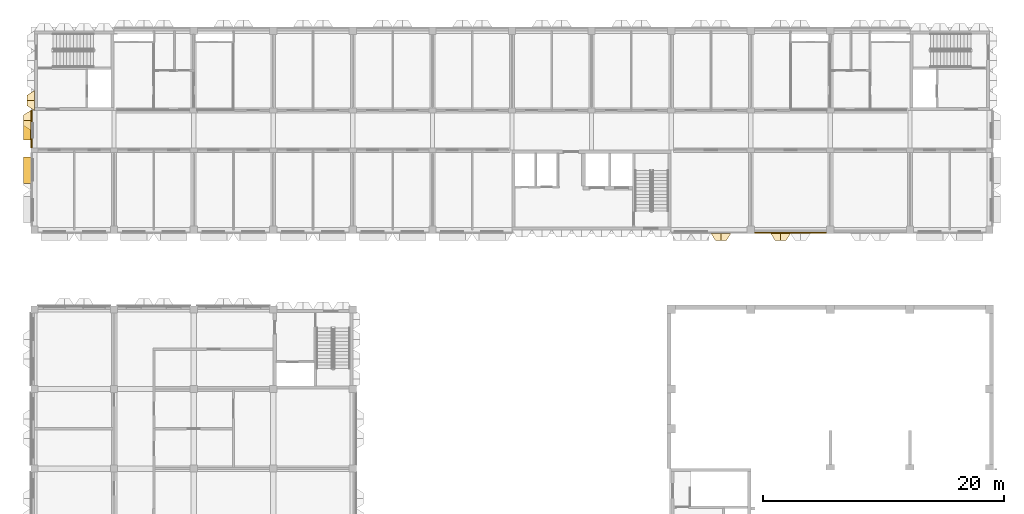
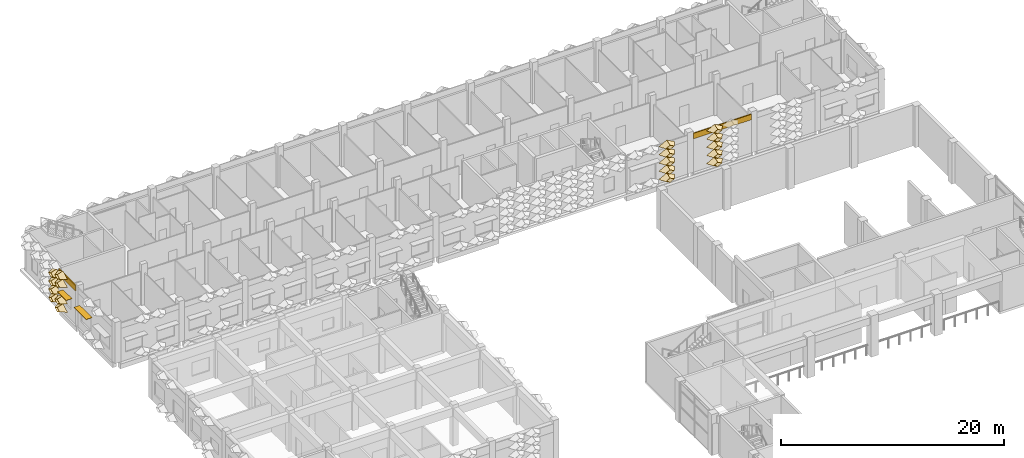
# One storey, part 75 of 87: 20 coverings, 2 shading devices.
"""IFC4 building model written with IfcOpenShell, lengths in metres."""

import ifcopenshell
import ifcopenshell.guid

model = None  # the IFC model being written
_history = None  # IfcOwnerHistory: only IFC2X3 demands one
_inside = {}  # id of a spatial element -> (the spatial element, [elements in it])
_under = {}  # id of a project, library or spatial element -> (it, [spatial elements below it])
_declared = {}  # id of a project -> (the project, [libraries it declares])
_typed = {}  # id of a type object -> (the type object, [elements of that type])
_made_of = {}  # id of a material, layer set ... -> (it, [elements and type objects made of it])


def new_model(schema):
    """Start an empty IFC model of exactly this schema.

    Asked for "IFC4X3", IfcOpenShell would pick the latest addendum, in which some entities
    have other attributes; the version numbers below select the first issue.
    IFC2X3 requires an IfcOwnerHistory on every rooted entity: one is made here for all.
    """
    global model, _history
    if schema == "IFC4X3":
        model = ifcopenshell.file(schema_version=(4, 3, 0, 0))
    else:
        model = ifcopenshell.file(schema=schema)
    _inside.clear()
    _under.clear()
    _declared.clear()
    _typed.clear()
    _made_of.clear()
    _history = None
    if model.schema == "IFC2X3":
        org = make("IfcOrganization", Name="unknown")
        user = make(
            "IfcPersonAndOrganization",
            ThePerson=make("IfcPerson", FamilyName="unknown"),
            TheOrganization=org,
        )
        app = make(
            "IfcApplication",
            ApplicationDeveloper=org,
            Version="unknown",
            ApplicationFullName="unknown",
            ApplicationIdentifier="unknown",
        )
        _history = make(
            "IfcOwnerHistory",
            OwningUser=user,
            OwningApplication=app,
            ChangeAction="ADDED",
            CreationDate=0,
        )
    return model


def make(cls, **values):
    """One entity of the class cls with the attributes given. An attribute that is None is left unset."""
    return model.create_entity(
        cls, **{name: value for name, value in values.items() if value is not None}
    )


def entity(cls, *values):
    """Any entity or typed value of the class cls, its attributes in the order of the schema. None: left unset."""
    e = model.create_entity(cls)
    for i, value in enumerate(values):
        if value is not None:
            e[i] = value
    return e


def rooted(cls, **values):
    """An entity with a GlobalId (a new one), such as an element, a storey or a relation."""
    return make(cls, GlobalId=ifcopenshell.guid.new(), OwnerHistory=_history, **values)


def si_unit(unit_type, name, prefix=None):
    """IfcSIUnit, for example si_unit("LENGTHUNIT", "METRE", prefix="MILLI")."""
    return make("IfcSIUnit", UnitType=unit_type, Prefix=prefix, Name=name)


def assignment(units):
    """IfcUnitAssignment: the units of a project."""
    return None if units is None else make("IfcUnitAssignment", Units=units)


def point(xyz):
    """IfcCartesianPoint."""
    return None if xyz is None else make("IfcCartesianPoint", Coordinates=xyz)


def direction(xyz):
    """IfcDirection."""
    return None if xyz is None else make("IfcDirection", DirectionRatios=xyz)


def frame(location, z_axis=None, x_axis=None):
    """IfcAxis2Placement3D, a coordinate frame: its origin and axes. An axis left out is left unset."""
    return make(
        "IfcAxis2Placement3D",
        Location=point(location),
        Axis=direction(z_axis),
        RefDirection=direction(x_axis),
    )


def frame_2d(location, x_axis=None):
    """IfcAxis2Placement2D, a coordinate frame in the plane: its origin and x axis."""
    return make(
        "IfcAxis2Placement2D", Location=point(location), RefDirection=direction(x_axis)
    )


def origin():
    """The frame at (0, 0, 0) with its axes left unset."""
    return frame((0.0, 0.0, 0.0))


def origin_2d():
    """The frame at (0, 0) in the plane with its x axis left unset."""
    return frame_2d((0.0, 0.0))


def place(relative_to, where):
    """IfcLocalPlacement: puts the frame where relative to a parent placement (None: the world)."""
    return make(
        "IfcLocalPlacement", PlacementRelTo=relative_to, RelativePlacement=where
    )


def context(
    kind, dimensions, precision=None, world=None, true_north=None, identifier=None
):
    """IfcGeometricRepresentationContext, for example the 3D "Model" context."""
    return make(
        "IfcGeometricRepresentationContext",
        ContextIdentifier=identifier,
        ContextType=kind,
        CoordinateSpaceDimension=dimensions,
        Precision=precision,
        WorldCoordinateSystem=world,
        TrueNorth=true_north,
    )


def subcontext(parent, identifier, kind, view, scale=None):
    """IfcGeometricRepresentationSubContext, for example "Body" below "Model"."""
    return make(
        "IfcGeometricRepresentationSubContext",
        ContextIdentifier=identifier,
        ContextType=kind,
        ParentContext=parent,
        TargetScale=scale,
        TargetView=view,
    )


def project(units=None, contexts=None):
    """IfcProject with its units and contexts."""
    return rooted(
        "IfcProject",
        Name="project",
        RepresentationContexts=contexts,
        UnitsInContext=assignment(units),
    )


def spatial(cls, under=None, at=None, **own):
    """A site, building, storey or space (cls), placed at a placement, below another one or the project."""
    s = rooted(cls, ObjectPlacement=at, **own)
    if under is not None:
        _under.setdefault(under.id(), (under, []))[1].append(s)
    return s


def profile(cls, at=None, kind="AREA", **sizes):
    """A parametric profile (cls). Its sizes go by their IFC names, for example OverallWidth=200.0."""
    return make(cls, ProfileType=kind, Position=at, **sizes)


def rectangle(**sizes):
    """IfcRectangleProfileDef."""
    return profile("IfcRectangleProfileDef", **sizes)


def extrude(swept, where, along, depth):
    """IfcExtrudedAreaSolid: the profile swept, set in the frame where, extruded along a direction by depth."""
    return make(
        "IfcExtrudedAreaSolid",
        SweptArea=swept,
        Position=where,
        ExtrudedDirection=direction(along),
        Depth=depth,
    )


def shape(context_of_items, identifier, shape_type, items):
    """IfcShapeRepresentation: the items that make up one representation, for example the "Body"."""
    return make(
        "IfcShapeRepresentation",
        ContextOfItems=context_of_items,
        RepresentationIdentifier=identifier,
        RepresentationType=shape_type,
        Items=items,
    )


def material(Name=None, Category=None):
    """IfcMaterial."""
    return make("IfcMaterial", Name=Name, Category=Category)


def layer(
    of_material, thickness, ventilated=None, Name=None, Category=None, Priority=None
):
    """IfcMaterialLayer: one layer of a wall or slab, of a material (None: an air gap)."""
    return make(
        "IfcMaterialLayer",
        Material=of_material,
        LayerThickness=thickness,
        IsVentilated=ventilated,
        Name=Name,
        Category=Category,
        Priority=Priority,
    )


def layer_set(layers, Name=None):
    """IfcMaterialLayerSet."""
    return make("IfcMaterialLayerSet", MaterialLayers=layers, LayerSetName=Name)


def made_of(thing, what):
    """Note that an element or type object is made of a material, layer set ...; save() writes the relation."""
    if what is not None:
        _made_of.setdefault(what.id(), (what, []))[1].append(thing)
    return thing


def type_object(cls, material=None, **own):
    """A type object (cls), such as IfcWallType, which elements share."""
    return made_of(rooted(cls, **own), material)


def element(
    cls,
    number,
    at=None,
    inside=None,
    cuts=None,
    type_object=None,
    material=None,
    context=None,
    identifier="Body",
    shape_type=None,
    held_by="IfcProductDefinitionShape",
    body=None,
    shapes=None,
    **own,
):
    """One element of the class cls, such as IfcWall. Its Tag is "e" and its number.

    at: its placement. inside: the storey or other place that contains it. cuts: it is an
    opening in that element (IfcRelVoidsElement). A single representation is given by context,
    identifier, shape_type and body (its items); several are given by shapes. held_by: the class
    of the entity that holds the representations. save() writes the other relations.
    """
    e = rooted(cls, Tag="e%d" % number, ObjectPlacement=at, **own)
    if body is not None:
        shapes = [shape(context, identifier, shape_type, body)]
    if shapes is not None:
        e.Representation = make(held_by, Representations=shapes)
    if inside is not None:
        _inside.setdefault(inside.id(), (inside, []))[1].append(e)
    if cuts is not None:
        rooted(
            "IfcRelVoidsElement", RelatingBuildingElement=cuts, RelatedOpeningElement=e
        )
    if type_object is not None:
        _typed.setdefault(type_object.id(), (type_object, []))[1].append(e)
    return made_of(e, material)


def aggregate(whole, parts):
    """IfcRelAggregates: a whole, such as a stair, and the parts it consists of."""
    return rooted("IfcRelAggregates", RelatingObject=whole, RelatedObjects=parts)


def save(model, path):
    """Write the relations noted so far, then the file.

    IfcRelAggregates (storeys below a building ...), IfcRelContainedInSpatialStructure (elements
    in a storey), IfcRelDefinesByType, IfcRelAssociatesMaterial and IfcRelDeclares: one each for
    every whole, place, type object, material and project.
    """
    for whole, parts in _under.values():
        aggregate(whole, parts)
    for where, things in _inside.values():
        rooted(
            "IfcRelContainedInSpatialStructure",
            RelatedElements=things,
            RelatingStructure=where,
        )
    for kind, things in _typed.values():
        rooted("IfcRelDefinesByType", RelatedObjects=things, RelatingType=kind)
    for what, things in _made_of.values():
        rooted("IfcRelAssociatesMaterial", RelatedObjects=things, RelatingMaterial=what)
    for by, libraries in _declared.values():
        rooted("IfcRelDeclares", RelatingContext=by, RelatedDefinitions=libraries)
    model.write(path)


model = new_model("IFC4")

# Units and contexts
model_context = context("Model", 3, precision=1e-05, world=origin(), true_north=direction((0.0, 1.0)))
body_context = subcontext(model_context, "Body", "Model", "MODEL_VIEW")
ifc_project = project(units=[si_unit("LENGTHUNIT", "METRE"), si_unit("AREAUNIT", "SQUARE_METRE"), si_unit("VOLUMEUNIT", "CUBIC_METRE"), si_unit("PLANEANGLEUNIT", "RADIAN"), si_unit("MASSUNIT", "GRAM", prefix="KILO")], contexts=[model_context])

# Site, building, storey
site_placement = place(None, origin())
site = spatial("IfcSite", under=ifc_project, at=site_placement, CompositionType="ELEMENT")
building_placement = place(site_placement, origin())
building = spatial("IfcBuilding", under=site, at=building_placement, Name="Lantern Court Research Institute", CompositionType="ELEMENT")
storey_placement = place(building_placement, frame((0.0, 0.0, 5.39990234375)))
storey = spatial("IfcBuildingStorey", under=building, at=storey_placement, Name="L01", CompositionType="ELEMENT", Elevation=5.39990234375)

# Shading devices
ifc_material_1 = material(Name="Aluminium alloy 6063-T6", Category="aluminium")
ifc_layer_1 = layer(ifc_material_1, 0.050048828125)
ifc_layer_set_1 = layer_set([ifc_layer_1], Name="Aluminium alloy 6063-T6")
shading_device_type_1 = type_object("IfcShadingDeviceType", Name="Brise-soleil blade 1600 x 600 x 50 aluminium", PredefinedType="USERDEFINED", material=ifc_layer_set_1)
shading_device_1_placement = place(storey_placement, frame((-0.60009765625, 90.75, 2.39990234375), z_axis=(0.0, 0.0, 1.0), x_axis=(0.0, 1.0, 0.0)))
element("IfcShadingDevice", 1, at=shading_device_1_placement, inside=storey, type_object=shading_device_type_1, Name="Brise-soleil blade L01 W", ObjectType="LOUVRE", PredefinedType="USERDEFINED", context=body_context, shape_type="SweptSolid", body=[
    extrude(rectangle(XDim=1.60009765625, YDim=0.60009765625, at=origin_2d()), origin(), (0.0, 0.0, 1.0), 0.050048828125),
])
ifc_material_2 = material(Name="Aluminium alloy 6063-T6", Category="aluminium")
ifc_layer_2 = layer(ifc_material_2, 0.050048828125)
ifc_layer_set_2 = layer_set([ifc_layer_2], Name="Aluminium alloy 6063-T6")
shading_device_type_2 = type_object("IfcShadingDeviceType", Name="Brise-soleil blade 2200 x 600 x 50 aluminium", PredefinedType="USERDEFINED", material=ifc_layer_set_2)
shading_device_2_placement = place(storey_placement, frame((-0.60009765625, 87.449951171875, 2.5), z_axis=(0.0, 0.0, 1.0), x_axis=(0.0, 1.0, 0.0)))
element("IfcShadingDevice", 2, at=shading_device_2_placement, inside=storey, type_object=shading_device_type_2, Name="Brise-soleil blade L01 W", ObjectType="LOUVRE", PredefinedType="USERDEFINED", context=body_context, shape_type="SweptSolid", body=[
    extrude(rectangle(XDim=2.199951171875, YDim=0.60009765625, at=origin_2d()), origin(), (0.0, 0.0, 1.0), 0.050048828125),
])

# Coverings
ifc_material_3 = material(Name="Aluminium composite panel with mineral wool insulation", Category="aluminium")
ifc_layer_3 = layer(ifc_material_3, 0.10009765625)
ifc_layer_set_3 = layer_set([ifc_layer_3], Name="Aluminium composite panel with mineral wool insulation")
covering_type_1 = type_object("IfcCoveringType", Name="Edge fascia panel 100 aluminium faced", PredefinedType="CLADDING", material=ifc_layer_set_3)
covering_1_placement = place(storey_placement, frame((65.699951171875, 82.25, 3.650146484375), z_axis=(0.0, 0.0, 1.0), x_axis=(-1.0, 0.0, 0.0)))
element("IfcCovering", 3, at=covering_1_placement, inside=storey, type_object=covering_type_1, Name="Edge fascia V6S L01 08", PredefinedType="CLADDING", context=body_context, shape_type="SweptSolid", body=[
    extrude(rectangle(XDim=6.0, YDim=0.10009765625, at=frame_2d((3.0, 0.0))), origin(), (0.0, 0.0, 1.0), 0.599853515625),
])
covering_2_placement = place(storey_placement, frame((-0.25, 89.300048828125, 3.650146484375), z_axis=(0.0, 0.0, 1.0), x_axis=(0.0, 1.0, 0.0)))
element("IfcCovering", 4, at=covering_2_placement, inside=storey, type_object=covering_type_1, Name="Edge fascia V6W L01 02", PredefinedType="CLADDING", context=body_context, shape_type="SweptSolid", body=[
    extrude(rectangle(XDim=3.099853515625, YDim=0.10009765625, at=frame_2d((1.5498046875, 0.0))), origin(), (0.0, 0.0, 1.0), 0.599853515625),
])
ifc_material_4 = material(Name="Anodised aluminium", Category="aluminium")
ifc_layer_4 = layer(ifc_material_4, 0.01611328125)
ifc_layer_set_4 = layer_set([ifc_layer_4], Name="Anodised aluminium")
covering_type_2 = type_object("IfcCoveringType", Name="Fin cassette 1650 x 900 x 600 aluminium", PredefinedType="CLADDING", material=ifc_layer_set_4)
covering_3_placement = place(storey_placement, frame((56.925048828125, 82.199951171875, 0.4501953125), z_axis=(0.0, -1.0, 0.0), x_axis=(1.0, 0.0, 0.0)))
cartesian_point_1 = entity("IfcCartesianPoint", [0.824951171875, 0.0])
cartesian_point_2 = entity("IfcCartesianPoint", [0.79150390625, 0.0])
cartesian_point_3 = entity("IfcCartesianPoint", [0.44189453125, 0.0])
cartesian_point_4 = entity("IfcCartesianPoint", [0.43359375, 0.0])
element("IfcCovering", 5, at=covering_3_placement, inside=storey, type_object=covering_type_2, Name="Fin cassette V6S-L01 1.35", PredefinedType="CLADDING", context=body_context, shape_type="SweptSolid", body=[
    entity("IfcExtrudedAreaSolidTapered", entity("IfcArbitraryProfileDefWithVoids", "AREA", None, entity("IfcPolyline", [cartesian_point_1, entity("IfcCartesianPoint", [0.0, 0.449951171875]), entity("IfcCartesianPoint", [-0.824951171875, 0.0]), entity("IfcCartesianPoint", [0.0, -0.449951171875]), cartesian_point_1]), [entity("IfcPolyline", [cartesian_point_2, entity("IfcCartesianPoint", [0.0, 0.431884765625]), entity("IfcCartesianPoint", [-0.79150390625, 0.0]), entity("IfcCartesianPoint", [0.0, -0.431884765625]), cartesian_point_2])]), entity("IfcAxis2Placement3D", entity("IfcCartesianPoint", [0.0, 0.0, 0.0])), entity("IfcDirection", [0.0, 0.0, 1.0]), 0.60009765625, entity("IfcArbitraryProfileDefWithVoids", "AREA", None, entity("IfcPolyline", [cartesian_point_3, entity("IfcCartesianPoint", [0.0, 0.240966796875]), entity("IfcCartesianPoint", [-0.44189453125, 0.0]), entity("IfcCartesianPoint", [0.0, -0.240966796875]), cartesian_point_3]), [entity("IfcPolyline", [cartesian_point_4, entity("IfcCartesianPoint", [0.0, 0.236572265625]), entity("IfcCartesianPoint", [-0.43359375, 0.0]), entity("IfcCartesianPoint", [0.0, -0.236572265625]), cartesian_point_4])])),
])
covering_4_placement = place(storey_placement, frame((61.875, 82.199951171875, 0.4501953125), z_axis=(0.0, -1.0, 0.0), x_axis=(1.0, 0.0, 0.0)))
cartesian_point_5 = entity("IfcCartesianPoint", [0.824951171875, 0.0])
cartesian_point_6 = entity("IfcCartesianPoint", [0.79150390625, 0.0])
cartesian_point_7 = entity("IfcCartesianPoint", [0.44189453125, 0.0])
cartesian_point_8 = entity("IfcCartesianPoint", [0.43359375, 0.0])
element("IfcCovering", 6, at=covering_4_placement, inside=storey, type_object=covering_type_2, Name="Fin cassette V6S-L01 1.38", PredefinedType="CLADDING", context=body_context, shape_type="SweptSolid", body=[
    entity("IfcExtrudedAreaSolidTapered", entity("IfcArbitraryProfileDefWithVoids", "AREA", None, entity("IfcPolyline", [cartesian_point_5, entity("IfcCartesianPoint", [0.0, 0.449951171875]), entity("IfcCartesianPoint", [-0.824951171875, 0.0]), entity("IfcCartesianPoint", [0.0, -0.449951171875]), cartesian_point_5]), [entity("IfcPolyline", [cartesian_point_6, entity("IfcCartesianPoint", [0.0, 0.431884765625]), entity("IfcCartesianPoint", [-0.79150390625, 0.0]), entity("IfcCartesianPoint", [0.0, -0.431884765625]), cartesian_point_6])]), entity("IfcAxis2Placement3D", entity("IfcCartesianPoint", [0.0, 0.0, 0.0])), entity("IfcDirection", [0.0, 0.0, 1.0]), 0.60009765625, entity("IfcArbitraryProfileDefWithVoids", "AREA", None, entity("IfcPolyline", [cartesian_point_7, entity("IfcCartesianPoint", [0.0, 0.240966796875]), entity("IfcCartesianPoint", [-0.44189453125, 0.0]), entity("IfcCartesianPoint", [0.0, -0.240966796875]), cartesian_point_7]), [entity("IfcPolyline", [cartesian_point_8, entity("IfcCartesianPoint", [0.0, 0.236572265625]), entity("IfcCartesianPoint", [-0.43359375, 0.0]), entity("IfcCartesianPoint", [0.0, -0.236572265625]), cartesian_point_8])])),
])
covering_5_placement = place(storey_placement, frame((56.925048828125, 82.199951171875, 1.35009765625), z_axis=(0.0, -1.0, 0.0), x_axis=(1.0, 0.0, 0.0)))
cartesian_point_9 = entity("IfcCartesianPoint", [0.824951171875, 0.0])
cartesian_point_10 = entity("IfcCartesianPoint", [0.79150390625, 0.0])
cartesian_point_11 = entity("IfcCartesianPoint", [0.44189453125, 0.0])
cartesian_point_12 = entity("IfcCartesianPoint", [0.43359375, 0.0])
element("IfcCovering", 7, at=covering_5_placement, inside=storey, type_object=covering_type_2, Name="Fin cassette V6S-L01 2.35", PredefinedType="CLADDING", context=body_context, shape_type="SweptSolid", body=[
    entity("IfcExtrudedAreaSolidTapered", entity("IfcArbitraryProfileDefWithVoids", "AREA", None, entity("IfcPolyline", [cartesian_point_9, entity("IfcCartesianPoint", [0.0, 0.449951171875]), entity("IfcCartesianPoint", [-0.824951171875, 0.0]), entity("IfcCartesianPoint", [0.0, -0.449951171875]), cartesian_point_9]), [entity("IfcPolyline", [cartesian_point_10, entity("IfcCartesianPoint", [0.0, 0.431884765625]), entity("IfcCartesianPoint", [-0.79150390625, 0.0]), entity("IfcCartesianPoint", [0.0, -0.431884765625]), cartesian_point_10])]), entity("IfcAxis2Placement3D", entity("IfcCartesianPoint", [0.0, 0.0, 0.0])), entity("IfcDirection", [0.0, 0.0, 1.0]), 0.60009765625, entity("IfcArbitraryProfileDefWithVoids", "AREA", None, entity("IfcPolyline", [cartesian_point_11, entity("IfcCartesianPoint", [0.0, 0.240966796875]), entity("IfcCartesianPoint", [-0.44189453125, 0.0]), entity("IfcCartesianPoint", [0.0, -0.240966796875]), cartesian_point_11]), [entity("IfcPolyline", [cartesian_point_12, entity("IfcCartesianPoint", [0.0, 0.236572265625]), entity("IfcCartesianPoint", [-0.43359375, 0.0]), entity("IfcCartesianPoint", [0.0, -0.236572265625]), cartesian_point_12])])),
])
covering_6_placement = place(storey_placement, frame((61.875, 82.199951171875, 1.35009765625), z_axis=(0.0, -1.0, 0.0), x_axis=(1.0, 0.0, 0.0)))
cartesian_point_13 = entity("IfcCartesianPoint", [0.824951171875, 0.0])
cartesian_point_14 = entity("IfcCartesianPoint", [0.79150390625, 0.0])
cartesian_point_15 = entity("IfcCartesianPoint", [0.44189453125, 0.0])
cartesian_point_16 = entity("IfcCartesianPoint", [0.43359375, 0.0])
element("IfcCovering", 8, at=covering_6_placement, inside=storey, type_object=covering_type_2, Name="Fin cassette V6S-L01 2.38", PredefinedType="CLADDING", context=body_context, shape_type="SweptSolid", body=[
    entity("IfcExtrudedAreaSolidTapered", entity("IfcArbitraryProfileDefWithVoids", "AREA", None, entity("IfcPolyline", [cartesian_point_13, entity("IfcCartesianPoint", [0.0, 0.449951171875]), entity("IfcCartesianPoint", [-0.824951171875, 0.0]), entity("IfcCartesianPoint", [0.0, -0.449951171875]), cartesian_point_13]), [entity("IfcPolyline", [cartesian_point_14, entity("IfcCartesianPoint", [0.0, 0.431884765625]), entity("IfcCartesianPoint", [-0.79150390625, 0.0]), entity("IfcCartesianPoint", [0.0, -0.431884765625]), cartesian_point_14])]), entity("IfcAxis2Placement3D", entity("IfcCartesianPoint", [0.0, 0.0, 0.0])), entity("IfcDirection", [0.0, 0.0, 1.0]), 0.60009765625, entity("IfcArbitraryProfileDefWithVoids", "AREA", None, entity("IfcPolyline", [cartesian_point_15, entity("IfcCartesianPoint", [0.0, 0.240966796875]), entity("IfcCartesianPoint", [-0.44189453125, 0.0]), entity("IfcCartesianPoint", [0.0, -0.240966796875]), cartesian_point_15]), [entity("IfcPolyline", [cartesian_point_16, entity("IfcCartesianPoint", [0.0, 0.236572265625]), entity("IfcCartesianPoint", [-0.43359375, 0.0]), entity("IfcCartesianPoint", [0.0, -0.236572265625]), cartesian_point_16])])),
])
covering_7_placement = place(storey_placement, frame((56.925048828125, 82.199951171875, 2.25), z_axis=(0.0, -1.0, 0.0), x_axis=(1.0, 0.0, 0.0)))
cartesian_point_17 = entity("IfcCartesianPoint", [0.824951171875, 0.0])
cartesian_point_18 = entity("IfcCartesianPoint", [0.79150390625, 0.0])
cartesian_point_19 = entity("IfcCartesianPoint", [0.44189453125, 0.0])
cartesian_point_20 = entity("IfcCartesianPoint", [0.43359375, 0.0])
element("IfcCovering", 9, at=covering_7_placement, inside=storey, type_object=covering_type_2, Name="Fin cassette V6S-L01 3.35", PredefinedType="CLADDING", context=body_context, shape_type="SweptSolid", body=[
    entity("IfcExtrudedAreaSolidTapered", entity("IfcArbitraryProfileDefWithVoids", "AREA", None, entity("IfcPolyline", [cartesian_point_17, entity("IfcCartesianPoint", [0.0, 0.449951171875]), entity("IfcCartesianPoint", [-0.824951171875, 0.0]), entity("IfcCartesianPoint", [0.0, -0.449951171875]), cartesian_point_17]), [entity("IfcPolyline", [cartesian_point_18, entity("IfcCartesianPoint", [0.0, 0.431884765625]), entity("IfcCartesianPoint", [-0.79150390625, 0.0]), entity("IfcCartesianPoint", [0.0, -0.431884765625]), cartesian_point_18])]), entity("IfcAxis2Placement3D", entity("IfcCartesianPoint", [0.0, 0.0, 0.0])), entity("IfcDirection", [0.0, 0.0, 1.0]), 0.60009765625, entity("IfcArbitraryProfileDefWithVoids", "AREA", None, entity("IfcPolyline", [cartesian_point_19, entity("IfcCartesianPoint", [0.0, 0.240966796875]), entity("IfcCartesianPoint", [-0.44189453125, 0.0]), entity("IfcCartesianPoint", [0.0, -0.240966796875]), cartesian_point_19]), [entity("IfcPolyline", [cartesian_point_20, entity("IfcCartesianPoint", [0.0, 0.236572265625]), entity("IfcCartesianPoint", [-0.43359375, 0.0]), entity("IfcCartesianPoint", [0.0, -0.236572265625]), cartesian_point_20])])),
])
covering_8_placement = place(storey_placement, frame((61.875, 82.199951171875, 2.25), z_axis=(0.0, -1.0, 0.0), x_axis=(1.0, 0.0, 0.0)))
cartesian_point_21 = entity("IfcCartesianPoint", [0.824951171875, 0.0])
cartesian_point_22 = entity("IfcCartesianPoint", [0.79150390625, 0.0])
cartesian_point_23 = entity("IfcCartesianPoint", [0.44189453125, 0.0])
cartesian_point_24 = entity("IfcCartesianPoint", [0.43359375, 0.0])
element("IfcCovering", 10, at=covering_8_placement, inside=storey, type_object=covering_type_2, Name="Fin cassette V6S-L01 3.38", PredefinedType="CLADDING", context=body_context, shape_type="SweptSolid", body=[
    entity("IfcExtrudedAreaSolidTapered", entity("IfcArbitraryProfileDefWithVoids", "AREA", None, entity("IfcPolyline", [cartesian_point_21, entity("IfcCartesianPoint", [0.0, 0.449951171875]), entity("IfcCartesianPoint", [-0.824951171875, 0.0]), entity("IfcCartesianPoint", [0.0, -0.449951171875]), cartesian_point_21]), [entity("IfcPolyline", [cartesian_point_22, entity("IfcCartesianPoint", [0.0, 0.431884765625]), entity("IfcCartesianPoint", [-0.79150390625, 0.0]), entity("IfcCartesianPoint", [0.0, -0.431884765625]), cartesian_point_22])]), entity("IfcAxis2Placement3D", entity("IfcCartesianPoint", [0.0, 0.0, 0.0])), entity("IfcDirection", [0.0, 0.0, 1.0]), 0.60009765625, entity("IfcArbitraryProfileDefWithVoids", "AREA", None, entity("IfcPolyline", [cartesian_point_23, entity("IfcCartesianPoint", [0.0, 0.240966796875]), entity("IfcCartesianPoint", [-0.44189453125, 0.0]), entity("IfcCartesianPoint", [0.0, -0.240966796875]), cartesian_point_23]), [entity("IfcPolyline", [cartesian_point_24, entity("IfcCartesianPoint", [0.0, 0.236572265625]), entity("IfcCartesianPoint", [-0.43359375, 0.0]), entity("IfcCartesianPoint", [0.0, -0.236572265625]), cartesian_point_24])])),
])
covering_9_placement = place(storey_placement, frame((56.925048828125, 82.199951171875, 3.150146484375), z_axis=(0.0, -1.0, 0.0), x_axis=(1.0, 0.0, 0.0)))
cartesian_point_25 = entity("IfcCartesianPoint", [0.824951171875, 0.0])
cartesian_point_26 = entity("IfcCartesianPoint", [0.79150390625, 0.0])
cartesian_point_27 = entity("IfcCartesianPoint", [0.44189453125, 0.0])
cartesian_point_28 = entity("IfcCartesianPoint", [0.43359375, 0.0])
element("IfcCovering", 11, at=covering_9_placement, inside=storey, type_object=covering_type_2, Name="Fin cassette V6S-L01 4.35", PredefinedType="CLADDING", context=body_context, shape_type="SweptSolid", body=[
    entity("IfcExtrudedAreaSolidTapered", entity("IfcArbitraryProfileDefWithVoids", "AREA", None, entity("IfcPolyline", [cartesian_point_25, entity("IfcCartesianPoint", [0.0, 0.449951171875]), entity("IfcCartesianPoint", [-0.824951171875, 0.0]), entity("IfcCartesianPoint", [0.0, -0.449951171875]), cartesian_point_25]), [entity("IfcPolyline", [cartesian_point_26, entity("IfcCartesianPoint", [0.0, 0.431884765625]), entity("IfcCartesianPoint", [-0.79150390625, 0.0]), entity("IfcCartesianPoint", [0.0, -0.431884765625]), cartesian_point_26])]), entity("IfcAxis2Placement3D", entity("IfcCartesianPoint", [0.0, 0.0, 0.0])), entity("IfcDirection", [0.0, 0.0, 1.0]), 0.60009765625, entity("IfcArbitraryProfileDefWithVoids", "AREA", None, entity("IfcPolyline", [cartesian_point_27, entity("IfcCartesianPoint", [0.0, 0.240966796875]), entity("IfcCartesianPoint", [-0.44189453125, 0.0]), entity("IfcCartesianPoint", [0.0, -0.240966796875]), cartesian_point_27]), [entity("IfcPolyline", [cartesian_point_28, entity("IfcCartesianPoint", [0.0, 0.236572265625]), entity("IfcCartesianPoint", [-0.43359375, 0.0]), entity("IfcCartesianPoint", [0.0, -0.236572265625]), cartesian_point_28])])),
])
covering_10_placement = place(storey_placement, frame((61.875, 82.199951171875, 3.150146484375), z_axis=(0.0, -1.0, 0.0), x_axis=(1.0, 0.0, 0.0)))
cartesian_point_29 = entity("IfcCartesianPoint", [0.824951171875, 0.0])
cartesian_point_30 = entity("IfcCartesianPoint", [0.79150390625, 0.0])
cartesian_point_31 = entity("IfcCartesianPoint", [0.44189453125, 0.0])
cartesian_point_32 = entity("IfcCartesianPoint", [0.43359375, 0.0])
element("IfcCovering", 12, at=covering_10_placement, inside=storey, type_object=covering_type_2, Name="Fin cassette V6S-L01 4.38", PredefinedType="CLADDING", context=body_context, shape_type="SweptSolid", body=[
    entity("IfcExtrudedAreaSolidTapered", entity("IfcArbitraryProfileDefWithVoids", "AREA", None, entity("IfcPolyline", [cartesian_point_29, entity("IfcCartesianPoint", [0.0, 0.449951171875]), entity("IfcCartesianPoint", [-0.824951171875, 0.0]), entity("IfcCartesianPoint", [0.0, -0.449951171875]), cartesian_point_29]), [entity("IfcPolyline", [cartesian_point_30, entity("IfcCartesianPoint", [0.0, 0.431884765625]), entity("IfcCartesianPoint", [-0.79150390625, 0.0]), entity("IfcCartesianPoint", [0.0, -0.431884765625]), cartesian_point_30])]), entity("IfcAxis2Placement3D", entity("IfcCartesianPoint", [0.0, 0.0, 0.0])), entity("IfcDirection", [0.0, 0.0, 1.0]), 0.60009765625, entity("IfcArbitraryProfileDefWithVoids", "AREA", None, entity("IfcPolyline", [cartesian_point_31, entity("IfcCartesianPoint", [0.0, 0.240966796875]), entity("IfcCartesianPoint", [-0.44189453125, 0.0]), entity("IfcCartesianPoint", [0.0, -0.240966796875]), cartesian_point_31]), [entity("IfcPolyline", [cartesian_point_32, entity("IfcCartesianPoint", [0.0, 0.236572265625]), entity("IfcCartesianPoint", [-0.43359375, 0.0]), entity("IfcCartesianPoint", [0.0, -0.236572265625]), cartesian_point_32])])),
])
covering_11_placement = place(storey_placement, frame((56.925048828125, 82.199951171875, 4.050048828125), z_axis=(0.0, -1.0, 0.0), x_axis=(1.0, 0.0, 0.0)))
cartesian_point_33 = entity("IfcCartesianPoint", [0.824951171875, 0.0])
cartesian_point_34 = entity("IfcCartesianPoint", [0.79150390625, 0.0])
cartesian_point_35 = entity("IfcCartesianPoint", [0.44189453125, 0.0])
cartesian_point_36 = entity("IfcCartesianPoint", [0.43359375, 0.0])
element("IfcCovering", 13, at=covering_11_placement, inside=storey, type_object=covering_type_2, Name="Fin cassette V6S-L01 5.35", PredefinedType="CLADDING", context=body_context, shape_type="SweptSolid", body=[
    entity("IfcExtrudedAreaSolidTapered", entity("IfcArbitraryProfileDefWithVoids", "AREA", None, entity("IfcPolyline", [cartesian_point_33, entity("IfcCartesianPoint", [0.0, 0.449951171875]), entity("IfcCartesianPoint", [-0.824951171875, 0.0]), entity("IfcCartesianPoint", [0.0, -0.449951171875]), cartesian_point_33]), [entity("IfcPolyline", [cartesian_point_34, entity("IfcCartesianPoint", [0.0, 0.431884765625]), entity("IfcCartesianPoint", [-0.79150390625, 0.0]), entity("IfcCartesianPoint", [0.0, -0.431884765625]), cartesian_point_34])]), entity("IfcAxis2Placement3D", entity("IfcCartesianPoint", [0.0, 0.0, 0.0])), entity("IfcDirection", [0.0, 0.0, 1.0]), 0.60009765625, entity("IfcArbitraryProfileDefWithVoids", "AREA", None, entity("IfcPolyline", [cartesian_point_35, entity("IfcCartesianPoint", [0.0, 0.240966796875]), entity("IfcCartesianPoint", [-0.44189453125, 0.0]), entity("IfcCartesianPoint", [0.0, -0.240966796875]), cartesian_point_35]), [entity("IfcPolyline", [cartesian_point_36, entity("IfcCartesianPoint", [0.0, 0.236572265625]), entity("IfcCartesianPoint", [-0.43359375, 0.0]), entity("IfcCartesianPoint", [0.0, -0.236572265625]), cartesian_point_36])])),
])
covering_12_placement = place(storey_placement, frame((61.875, 82.199951171875, 4.050048828125), z_axis=(0.0, -1.0, 0.0), x_axis=(1.0, 0.0, 0.0)))
cartesian_point_37 = entity("IfcCartesianPoint", [0.824951171875, 0.0])
cartesian_point_38 = entity("IfcCartesianPoint", [0.79150390625, 0.0])
cartesian_point_39 = entity("IfcCartesianPoint", [0.44189453125, 0.0])
cartesian_point_40 = entity("IfcCartesianPoint", [0.43359375, 0.0])
element("IfcCovering", 14, at=covering_12_placement, inside=storey, type_object=covering_type_2, Name="Fin cassette V6S-L01 5.38", PredefinedType="CLADDING", context=body_context, shape_type="SweptSolid", body=[
    entity("IfcExtrudedAreaSolidTapered", entity("IfcArbitraryProfileDefWithVoids", "AREA", None, entity("IfcPolyline", [cartesian_point_37, entity("IfcCartesianPoint", [0.0, 0.449951171875]), entity("IfcCartesianPoint", [-0.824951171875, 0.0]), entity("IfcCartesianPoint", [0.0, -0.449951171875]), cartesian_point_37]), [entity("IfcPolyline", [cartesian_point_38, entity("IfcCartesianPoint", [0.0, 0.431884765625]), entity("IfcCartesianPoint", [-0.79150390625, 0.0]), entity("IfcCartesianPoint", [0.0, -0.431884765625]), cartesian_point_38])]), entity("IfcAxis2Placement3D", entity("IfcCartesianPoint", [0.0, 0.0, 0.0])), entity("IfcDirection", [0.0, 0.0, 1.0]), 0.60009765625, entity("IfcArbitraryProfileDefWithVoids", "AREA", None, entity("IfcPolyline", [cartesian_point_39, entity("IfcCartesianPoint", [0.0, 0.240966796875]), entity("IfcCartesianPoint", [-0.44189453125, 0.0]), entity("IfcCartesianPoint", [0.0, -0.240966796875]), cartesian_point_39]), [entity("IfcPolyline", [cartesian_point_40, entity("IfcCartesianPoint", [0.0, 0.236572265625]), entity("IfcCartesianPoint", [-0.43359375, 0.0]), entity("IfcCartesianPoint", [0.0, -0.236572265625]), cartesian_point_40])])),
])
covering_13_placement = place(storey_placement, frame((0.0, 93.22509765625, 0.4501953125), z_axis=(-1.0, 0.0, 0.0), x_axis=(0.0, -1.0, 0.0)))
cartesian_point_41 = entity("IfcCartesianPoint", [0.824951171875, 0.0])
cartesian_point_42 = entity("IfcCartesianPoint", [0.79150390625, 0.0])
cartesian_point_43 = entity("IfcCartesianPoint", [0.44189453125, 0.0])
cartesian_point_44 = entity("IfcCartesianPoint", [0.43359375, 0.0])
element("IfcCovering", 15, at=covering_13_placement, inside=storey, type_object=covering_type_2, Name="Fin cassette V6W-L01 1.57", PredefinedType="CLADDING", context=body_context, shape_type="SweptSolid", body=[
    entity("IfcExtrudedAreaSolidTapered", entity("IfcArbitraryProfileDefWithVoids", "AREA", None, entity("IfcPolyline", [cartesian_point_41, entity("IfcCartesianPoint", [0.0, 0.449951171875]), entity("IfcCartesianPoint", [-0.824951171875, 0.0]), entity("IfcCartesianPoint", [0.0, -0.449951171875]), cartesian_point_41]), [entity("IfcPolyline", [cartesian_point_42, entity("IfcCartesianPoint", [0.0, 0.431884765625]), entity("IfcCartesianPoint", [-0.79150390625, 0.0]), entity("IfcCartesianPoint", [0.0, -0.431884765625]), cartesian_point_42])]), entity("IfcAxis2Placement3D", entity("IfcCartesianPoint", [0.0, 0.0, 0.0])), entity("IfcDirection", [0.0, 0.0, 1.0]), 0.60009765625, entity("IfcArbitraryProfileDefWithVoids", "AREA", None, entity("IfcPolyline", [cartesian_point_43, entity("IfcCartesianPoint", [0.0, 0.240966796875]), entity("IfcCartesianPoint", [-0.44189453125, 0.0]), entity("IfcCartesianPoint", [0.0, -0.240966796875]), cartesian_point_43]), [entity("IfcPolyline", [cartesian_point_44, entity("IfcCartesianPoint", [0.0, 0.236572265625]), entity("IfcCartesianPoint", [-0.43359375, 0.0]), entity("IfcCartesianPoint", [0.0, -0.236572265625]), cartesian_point_44])])),
])
covering_14_placement = place(storey_placement, frame((0.0, 93.22509765625, 1.35009765625), z_axis=(-1.0, 0.0, 0.0), x_axis=(0.0, -1.0, 0.0)))
cartesian_point_45 = entity("IfcCartesianPoint", [0.824951171875, 0.0])
cartesian_point_46 = entity("IfcCartesianPoint", [0.79150390625, 0.0])
cartesian_point_47 = entity("IfcCartesianPoint", [0.44189453125, 0.0])
cartesian_point_48 = entity("IfcCartesianPoint", [0.43359375, 0.0])
element("IfcCovering", 16, at=covering_14_placement, inside=storey, type_object=covering_type_2, Name="Fin cassette V6W-L01 2.57", PredefinedType="CLADDING", context=body_context, shape_type="SweptSolid", body=[
    entity("IfcExtrudedAreaSolidTapered", entity("IfcArbitraryProfileDefWithVoids", "AREA", None, entity("IfcPolyline", [cartesian_point_45, entity("IfcCartesianPoint", [0.0, 0.449951171875]), entity("IfcCartesianPoint", [-0.824951171875, 0.0]), entity("IfcCartesianPoint", [0.0, -0.449951171875]), cartesian_point_45]), [entity("IfcPolyline", [cartesian_point_46, entity("IfcCartesianPoint", [0.0, 0.431884765625]), entity("IfcCartesianPoint", [-0.79150390625, 0.0]), entity("IfcCartesianPoint", [0.0, -0.431884765625]), cartesian_point_46])]), entity("IfcAxis2Placement3D", entity("IfcCartesianPoint", [0.0, 0.0, 0.0])), entity("IfcDirection", [0.0, 0.0, 1.0]), 0.60009765625, entity("IfcArbitraryProfileDefWithVoids", "AREA", None, entity("IfcPolyline", [cartesian_point_47, entity("IfcCartesianPoint", [0.0, 0.240966796875]), entity("IfcCartesianPoint", [-0.44189453125, 0.0]), entity("IfcCartesianPoint", [0.0, -0.240966796875]), cartesian_point_47]), [entity("IfcPolyline", [cartesian_point_48, entity("IfcCartesianPoint", [0.0, 0.236572265625]), entity("IfcCartesianPoint", [-0.43359375, 0.0]), entity("IfcCartesianPoint", [0.0, -0.236572265625]), cartesian_point_48])])),
])
covering_15_placement = place(storey_placement, frame((0.0, 93.22509765625, 2.25), z_axis=(-1.0, 0.0, 0.0), x_axis=(0.0, -1.0, 0.0)))
cartesian_point_49 = entity("IfcCartesianPoint", [0.824951171875, 0.0])
cartesian_point_50 = entity("IfcCartesianPoint", [0.79150390625, 0.0])
cartesian_point_51 = entity("IfcCartesianPoint", [0.44189453125, 0.0])
cartesian_point_52 = entity("IfcCartesianPoint", [0.43359375, 0.0])
element("IfcCovering", 17, at=covering_15_placement, inside=storey, type_object=covering_type_2, Name="Fin cassette V6W-L01 3.57", PredefinedType="CLADDING", context=body_context, shape_type="SweptSolid", body=[
    entity("IfcExtrudedAreaSolidTapered", entity("IfcArbitraryProfileDefWithVoids", "AREA", None, entity("IfcPolyline", [cartesian_point_49, entity("IfcCartesianPoint", [0.0, 0.449951171875]), entity("IfcCartesianPoint", [-0.824951171875, 0.0]), entity("IfcCartesianPoint", [0.0, -0.449951171875]), cartesian_point_49]), [entity("IfcPolyline", [cartesian_point_50, entity("IfcCartesianPoint", [0.0, 0.431884765625]), entity("IfcCartesianPoint", [-0.79150390625, 0.0]), entity("IfcCartesianPoint", [0.0, -0.431884765625]), cartesian_point_50])]), entity("IfcAxis2Placement3D", entity("IfcCartesianPoint", [0.0, 0.0, 0.0])), entity("IfcDirection", [0.0, 0.0, 1.0]), 0.60009765625, entity("IfcArbitraryProfileDefWithVoids", "AREA", None, entity("IfcPolyline", [cartesian_point_51, entity("IfcCartesianPoint", [0.0, 0.240966796875]), entity("IfcCartesianPoint", [-0.44189453125, 0.0]), entity("IfcCartesianPoint", [0.0, -0.240966796875]), cartesian_point_51]), [entity("IfcPolyline", [cartesian_point_52, entity("IfcCartesianPoint", [0.0, 0.236572265625]), entity("IfcCartesianPoint", [-0.43359375, 0.0]), entity("IfcCartesianPoint", [0.0, -0.236572265625]), cartesian_point_52])])),
])
covering_16_placement = place(storey_placement, frame((0.0, 93.22509765625, 3.150146484375), z_axis=(-1.0, 0.0, 0.0), x_axis=(0.0, -1.0, 0.0)))
cartesian_point_53 = entity("IfcCartesianPoint", [0.824951171875, 0.0])
cartesian_point_54 = entity("IfcCartesianPoint", [0.79150390625, 0.0])
cartesian_point_55 = entity("IfcCartesianPoint", [0.44189453125, 0.0])
cartesian_point_56 = entity("IfcCartesianPoint", [0.43359375, 0.0])
element("IfcCovering", 18, at=covering_16_placement, inside=storey, type_object=covering_type_2, Name="Fin cassette V6W-L01 4.57", PredefinedType="CLADDING", context=body_context, shape_type="SweptSolid", body=[
    entity("IfcExtrudedAreaSolidTapered", entity("IfcArbitraryProfileDefWithVoids", "AREA", None, entity("IfcPolyline", [cartesian_point_53, entity("IfcCartesianPoint", [0.0, 0.449951171875]), entity("IfcCartesianPoint", [-0.824951171875, 0.0]), entity("IfcCartesianPoint", [0.0, -0.449951171875]), cartesian_point_53]), [entity("IfcPolyline", [cartesian_point_54, entity("IfcCartesianPoint", [0.0, 0.431884765625]), entity("IfcCartesianPoint", [-0.79150390625, 0.0]), entity("IfcCartesianPoint", [0.0, -0.431884765625]), cartesian_point_54])]), entity("IfcAxis2Placement3D", entity("IfcCartesianPoint", [0.0, 0.0, 0.0])), entity("IfcDirection", [0.0, 0.0, 1.0]), 0.60009765625, entity("IfcArbitraryProfileDefWithVoids", "AREA", None, entity("IfcPolyline", [cartesian_point_55, entity("IfcCartesianPoint", [0.0, 0.240966796875]), entity("IfcCartesianPoint", [-0.44189453125, 0.0]), entity("IfcCartesianPoint", [0.0, -0.240966796875]), cartesian_point_55]), [entity("IfcPolyline", [cartesian_point_56, entity("IfcCartesianPoint", [0.0, 0.236572265625]), entity("IfcCartesianPoint", [-0.43359375, 0.0]), entity("IfcCartesianPoint", [0.0, -0.236572265625]), cartesian_point_56])])),
])
covering_17_placement = place(storey_placement, frame((-0.300048828125, 91.574951171875, 0.4501953125), z_axis=(-1.0, 0.0, 0.0), x_axis=(0.0, -1.0, 0.0)))
cartesian_point_57 = entity("IfcCartesianPoint", [0.824951171875, 0.0])
cartesian_point_58 = entity("IfcCartesianPoint", [0.79150390625, 0.0])
cartesian_point_59 = entity("IfcCartesianPoint", [0.44189453125, 0.0])
cartesian_point_60 = entity("IfcCartesianPoint", [0.43359375, 0.0])
element("IfcCovering", 19, at=covering_17_placement, inside=storey, type_object=covering_type_2, Name="Fin cassette V6W-L01 1.56", PredefinedType="CLADDING", context=body_context, shape_type="SweptSolid", body=[
    entity("IfcExtrudedAreaSolidTapered", entity("IfcArbitraryProfileDefWithVoids", "AREA", None, entity("IfcPolyline", [cartesian_point_57, entity("IfcCartesianPoint", [0.0, 0.449951171875]), entity("IfcCartesianPoint", [-0.824951171875, 0.0]), entity("IfcCartesianPoint", [0.0, -0.449951171875]), cartesian_point_57]), [entity("IfcPolyline", [cartesian_point_58, entity("IfcCartesianPoint", [0.0, 0.431884765625]), entity("IfcCartesianPoint", [-0.79150390625, 0.0]), entity("IfcCartesianPoint", [0.0, -0.431884765625]), cartesian_point_58])]), entity("IfcAxis2Placement3D", entity("IfcCartesianPoint", [0.0, 0.0, 0.0])), entity("IfcDirection", [0.0, 0.0, 1.0]), 0.60009765625, entity("IfcArbitraryProfileDefWithVoids", "AREA", None, entity("IfcPolyline", [cartesian_point_59, entity("IfcCartesianPoint", [0.0, 0.240966796875]), entity("IfcCartesianPoint", [-0.44189453125, 0.0]), entity("IfcCartesianPoint", [0.0, -0.240966796875]), cartesian_point_59]), [entity("IfcPolyline", [cartesian_point_60, entity("IfcCartesianPoint", [0.0, 0.236572265625]), entity("IfcCartesianPoint", [-0.43359375, 0.0]), entity("IfcCartesianPoint", [0.0, -0.236572265625]), cartesian_point_60])])),
])
covering_18_placement = place(storey_placement, frame((-0.300048828125, 91.574951171875, 1.35009765625), z_axis=(-1.0, 0.0, 0.0), x_axis=(0.0, -1.0, 0.0)))
cartesian_point_61 = entity("IfcCartesianPoint", [0.824951171875, 0.0])
cartesian_point_62 = entity("IfcCartesianPoint", [0.79150390625, 0.0])
cartesian_point_63 = entity("IfcCartesianPoint", [0.44189453125, 0.0])
cartesian_point_64 = entity("IfcCartesianPoint", [0.43359375, 0.0])
element("IfcCovering", 20, at=covering_18_placement, inside=storey, type_object=covering_type_2, Name="Fin cassette V6W-L01 2.56", PredefinedType="CLADDING", context=body_context, shape_type="SweptSolid", body=[
    entity("IfcExtrudedAreaSolidTapered", entity("IfcArbitraryProfileDefWithVoids", "AREA", None, entity("IfcPolyline", [cartesian_point_61, entity("IfcCartesianPoint", [0.0, 0.449951171875]), entity("IfcCartesianPoint", [-0.824951171875, 0.0]), entity("IfcCartesianPoint", [0.0, -0.449951171875]), cartesian_point_61]), [entity("IfcPolyline", [cartesian_point_62, entity("IfcCartesianPoint", [0.0, 0.431884765625]), entity("IfcCartesianPoint", [-0.79150390625, 0.0]), entity("IfcCartesianPoint", [0.0, -0.431884765625]), cartesian_point_62])]), entity("IfcAxis2Placement3D", entity("IfcCartesianPoint", [0.0, 0.0, 0.0])), entity("IfcDirection", [0.0, 0.0, 1.0]), 0.60009765625, entity("IfcArbitraryProfileDefWithVoids", "AREA", None, entity("IfcPolyline", [cartesian_point_63, entity("IfcCartesianPoint", [0.0, 0.240966796875]), entity("IfcCartesianPoint", [-0.44189453125, 0.0]), entity("IfcCartesianPoint", [0.0, -0.240966796875]), cartesian_point_63]), [entity("IfcPolyline", [cartesian_point_64, entity("IfcCartesianPoint", [0.0, 0.236572265625]), entity("IfcCartesianPoint", [-0.43359375, 0.0]), entity("IfcCartesianPoint", [0.0, -0.236572265625]), cartesian_point_64])])),
])
covering_19_placement = place(storey_placement, frame((-0.300048828125, 91.574951171875, 3.150146484375), z_axis=(-1.0, 0.0, 0.0), x_axis=(0.0, -1.0, 0.0)))
cartesian_point_65 = entity("IfcCartesianPoint", [0.824951171875, 0.0])
cartesian_point_66 = entity("IfcCartesianPoint", [0.79150390625, 0.0])
cartesian_point_67 = entity("IfcCartesianPoint", [0.44189453125, 0.0])
cartesian_point_68 = entity("IfcCartesianPoint", [0.43359375, 0.0])
element("IfcCovering", 21, at=covering_19_placement, inside=storey, type_object=covering_type_2, Name="Fin cassette V6W-L01 4.56", PredefinedType="CLADDING", context=body_context, shape_type="SweptSolid", body=[
    entity("IfcExtrudedAreaSolidTapered", entity("IfcArbitraryProfileDefWithVoids", "AREA", None, entity("IfcPolyline", [cartesian_point_65, entity("IfcCartesianPoint", [0.0, 0.449951171875]), entity("IfcCartesianPoint", [-0.824951171875, 0.0]), entity("IfcCartesianPoint", [0.0, -0.449951171875]), cartesian_point_65]), [entity("IfcPolyline", [cartesian_point_66, entity("IfcCartesianPoint", [0.0, 0.431884765625]), entity("IfcCartesianPoint", [-0.79150390625, 0.0]), entity("IfcCartesianPoint", [0.0, -0.431884765625]), cartesian_point_66])]), entity("IfcAxis2Placement3D", entity("IfcCartesianPoint", [0.0, 0.0, 0.0])), entity("IfcDirection", [0.0, 0.0, 1.0]), 0.60009765625, entity("IfcArbitraryProfileDefWithVoids", "AREA", None, entity("IfcPolyline", [cartesian_point_67, entity("IfcCartesianPoint", [0.0, 0.240966796875]), entity("IfcCartesianPoint", [-0.44189453125, 0.0]), entity("IfcCartesianPoint", [0.0, -0.240966796875]), cartesian_point_67]), [entity("IfcPolyline", [cartesian_point_68, entity("IfcCartesianPoint", [0.0, 0.236572265625]), entity("IfcCartesianPoint", [-0.43359375, 0.0]), entity("IfcCartesianPoint", [0.0, -0.236572265625]), cartesian_point_68])])),
])
covering_20_placement = place(storey_placement, frame((-0.300048828125, 91.574951171875, 4.050048828125), z_axis=(-1.0, 0.0, 0.0), x_axis=(0.0, -1.0, 0.0)))
cartesian_point_69 = entity("IfcCartesianPoint", [0.824951171875, 0.0])
cartesian_point_70 = entity("IfcCartesianPoint", [0.79150390625, 0.0])
cartesian_point_71 = entity("IfcCartesianPoint", [0.44189453125, 0.0])
cartesian_point_72 = entity("IfcCartesianPoint", [0.43359375, 0.0])
element("IfcCovering", 22, at=covering_20_placement, inside=storey, type_object=covering_type_2, Name="Fin cassette V6W-L01 5.56", PredefinedType="CLADDING", context=body_context, shape_type="SweptSolid", body=[
    entity("IfcExtrudedAreaSolidTapered", entity("IfcArbitraryProfileDefWithVoids", "AREA", None, entity("IfcPolyline", [cartesian_point_69, entity("IfcCartesianPoint", [0.0, 0.449951171875]), entity("IfcCartesianPoint", [-0.824951171875, 0.0]), entity("IfcCartesianPoint", [0.0, -0.449951171875]), cartesian_point_69]), [entity("IfcPolyline", [cartesian_point_70, entity("IfcCartesianPoint", [0.0, 0.431884765625]), entity("IfcCartesianPoint", [-0.79150390625, 0.0]), entity("IfcCartesianPoint", [0.0, -0.431884765625]), cartesian_point_70])]), entity("IfcAxis2Placement3D", entity("IfcCartesianPoint", [0.0, 0.0, 0.0])), entity("IfcDirection", [0.0, 0.0, 1.0]), 0.60009765625, entity("IfcArbitraryProfileDefWithVoids", "AREA", None, entity("IfcPolyline", [cartesian_point_71, entity("IfcCartesianPoint", [0.0, 0.240966796875]), entity("IfcCartesianPoint", [-0.44189453125, 0.0]), entity("IfcCartesianPoint", [0.0, -0.240966796875]), cartesian_point_71]), [entity("IfcPolyline", [cartesian_point_72, entity("IfcCartesianPoint", [0.0, 0.236572265625]), entity("IfcCartesianPoint", [-0.43359375, 0.0]), entity("IfcCartesianPoint", [0.0, -0.236572265625]), cartesian_point_72])])),
])

save(model, "model.ifc")
